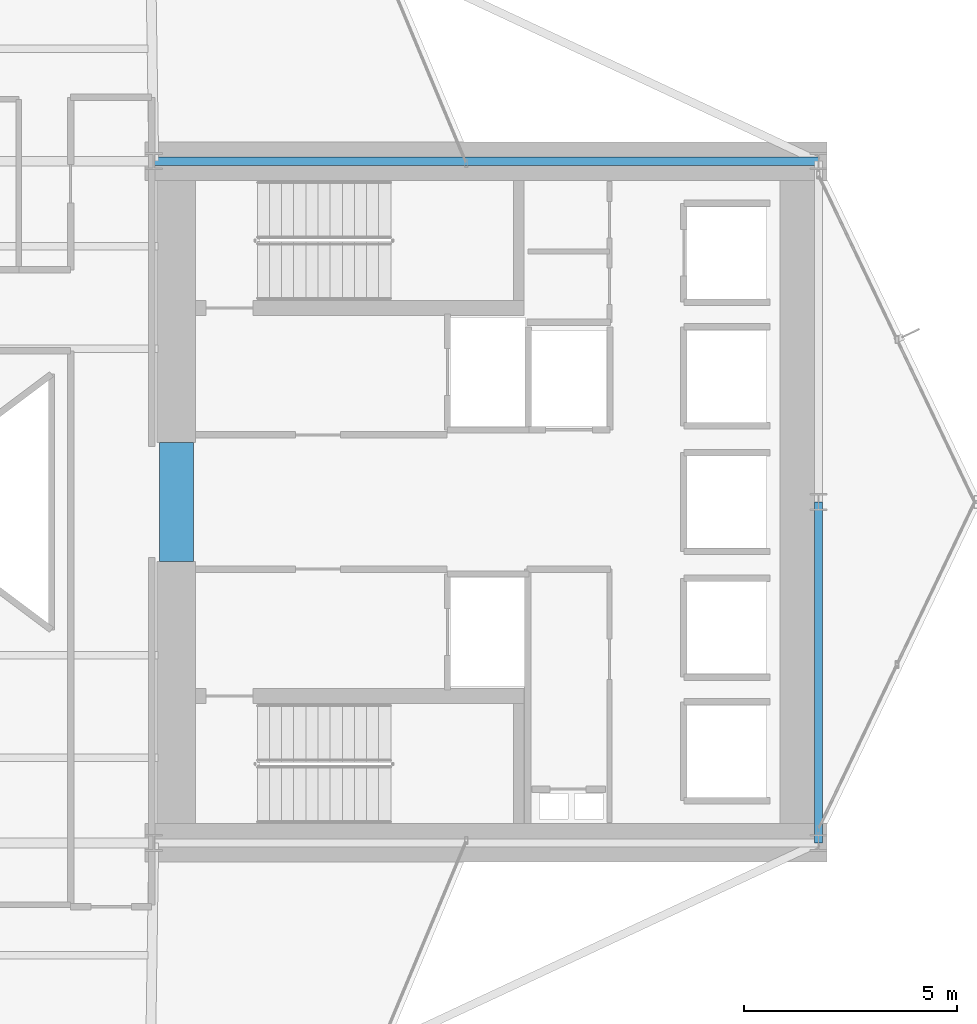
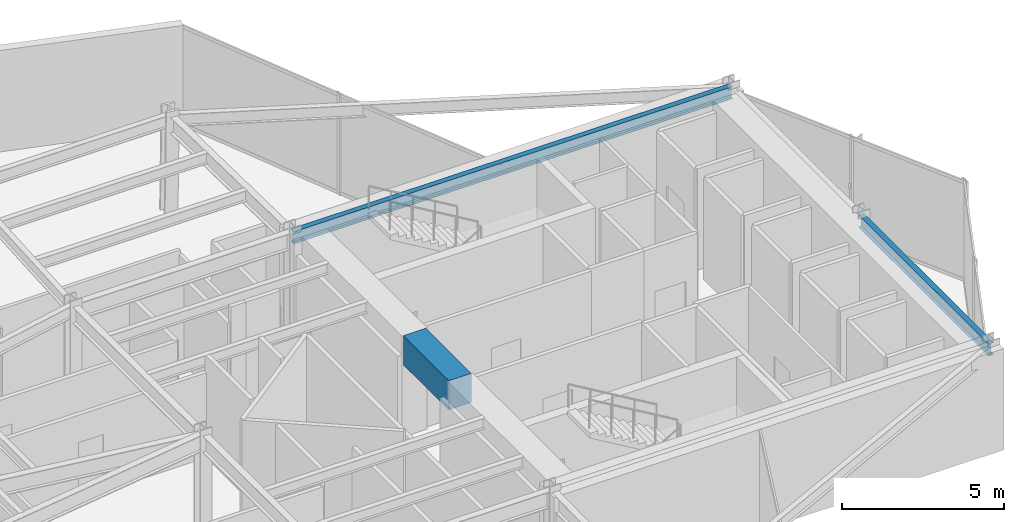
# One storey, part 13 of 25: 3 beams.
"""IFC4 building model written with IfcOpenShell, lengths in metres."""

import ifcopenshell
import ifcopenshell.guid

model = None  # the IFC model being written
_history = None  # IfcOwnerHistory: only IFC2X3 demands one
_inside = {}  # id of a spatial element -> (the spatial element, [elements in it])
_under = {}  # id of a project, library or spatial element -> (it, [spatial elements below it])
_declared = {}  # id of a project -> (the project, [libraries it declares])
_typed = {}  # id of a type object -> (the type object, [elements of that type])
_made_of = {}  # id of a material, layer set ... -> (it, [elements and type objects made of it])


def new_model(schema):
    """Start an empty IFC model of exactly this schema.

    Asked for "IFC4X3", IfcOpenShell would pick the latest addendum, in which some entities
    have other attributes; the version numbers below select the first issue.
    IFC2X3 requires an IfcOwnerHistory on every rooted entity: one is made here for all.
    """
    global model, _history
    if schema == "IFC4X3":
        model = ifcopenshell.file(schema_version=(4, 3, 0, 0))
    else:
        model = ifcopenshell.file(schema=schema)
    _inside.clear()
    _under.clear()
    _declared.clear()
    _typed.clear()
    _made_of.clear()
    _history = None
    if model.schema == "IFC2X3":
        org = make("IfcOrganization", Name="unknown")
        user = make(
            "IfcPersonAndOrganization",
            ThePerson=make("IfcPerson", FamilyName="unknown"),
            TheOrganization=org,
        )
        app = make(
            "IfcApplication",
            ApplicationDeveloper=org,
            Version="unknown",
            ApplicationFullName="unknown",
            ApplicationIdentifier="unknown",
        )
        _history = make(
            "IfcOwnerHistory",
            OwningUser=user,
            OwningApplication=app,
            ChangeAction="ADDED",
            CreationDate=0,
        )
    return model


def make(cls, **values):
    """One entity of the class cls with the attributes given. An attribute that is None is left unset."""
    return model.create_entity(
        cls, **{name: value for name, value in values.items() if value is not None}
    )


def rooted(cls, **values):
    """An entity with a GlobalId (a new one), such as an element, a storey or a relation."""
    return make(cls, GlobalId=ifcopenshell.guid.new(), OwnerHistory=_history, **values)


def si_unit(unit_type, name, prefix=None):
    """IfcSIUnit, for example si_unit("LENGTHUNIT", "METRE", prefix="MILLI")."""
    return make("IfcSIUnit", UnitType=unit_type, Prefix=prefix, Name=name)


def assignment(units):
    """IfcUnitAssignment: the units of a project."""
    return None if units is None else make("IfcUnitAssignment", Units=units)


def point(xyz):
    """IfcCartesianPoint."""
    return None if xyz is None else make("IfcCartesianPoint", Coordinates=xyz)


def direction(xyz):
    """IfcDirection."""
    return None if xyz is None else make("IfcDirection", DirectionRatios=xyz)


def frame(location, z_axis=None, x_axis=None):
    """IfcAxis2Placement3D, a coordinate frame: its origin and axes. An axis left out is left unset."""
    return make(
        "IfcAxis2Placement3D",
        Location=point(location),
        Axis=direction(z_axis),
        RefDirection=direction(x_axis),
    )


def frame_2d(location, x_axis=None):
    """IfcAxis2Placement2D, a coordinate frame in the plane: its origin and x axis."""
    return make(
        "IfcAxis2Placement2D", Location=point(location), RefDirection=direction(x_axis)
    )


def origin():
    """The frame at (0, 0, 0) with its axes left unset."""
    return frame((0.0, 0.0, 0.0))


def origin_2d():
    """The frame at (0, 0) in the plane with its x axis left unset."""
    return frame_2d((0.0, 0.0))


def place(relative_to, where):
    """IfcLocalPlacement: puts the frame where relative to a parent placement (None: the world)."""
    return make(
        "IfcLocalPlacement", PlacementRelTo=relative_to, RelativePlacement=where
    )


def context(
    kind, dimensions, precision=None, world=None, true_north=None, identifier=None
):
    """IfcGeometricRepresentationContext, for example the 3D "Model" context."""
    return make(
        "IfcGeometricRepresentationContext",
        ContextIdentifier=identifier,
        ContextType=kind,
        CoordinateSpaceDimension=dimensions,
        Precision=precision,
        WorldCoordinateSystem=world,
        TrueNorth=true_north,
    )


def subcontext(parent, identifier, kind, view, scale=None):
    """IfcGeometricRepresentationSubContext, for example "Body" below "Model"."""
    return make(
        "IfcGeometricRepresentationSubContext",
        ContextIdentifier=identifier,
        ContextType=kind,
        ParentContext=parent,
        TargetScale=scale,
        TargetView=view,
    )


def project(units=None, contexts=None):
    """IfcProject with its units and contexts."""
    return rooted(
        "IfcProject",
        Name="project",
        RepresentationContexts=contexts,
        UnitsInContext=assignment(units),
    )


def spatial(cls, under=None, at=None, **own):
    """A site, building, storey or space (cls), placed at a placement, below another one or the project."""
    s = rooted(cls, ObjectPlacement=at, **own)
    if under is not None:
        _under.setdefault(under.id(), (under, []))[1].append(s)
    return s


def profile(cls, at=None, kind="AREA", **sizes):
    """A parametric profile (cls). Its sizes go by their IFC names, for example OverallWidth=200.0."""
    return make(cls, ProfileType=kind, Position=at, **sizes)


def rectangle(**sizes):
    """IfcRectangleProfileDef."""
    return profile("IfcRectangleProfileDef", **sizes)


def i_section(**sizes):
    """IfcIShapeProfileDef."""
    return profile("IfcIShapeProfileDef", **sizes)


def extrude(swept, where, along, depth):
    """IfcExtrudedAreaSolid: the profile swept, set in the frame where, extruded along a direction by depth."""
    return make(
        "IfcExtrudedAreaSolid",
        SweptArea=swept,
        Position=where,
        ExtrudedDirection=direction(along),
        Depth=depth,
    )


def shape(context_of_items, identifier, shape_type, items):
    """IfcShapeRepresentation: the items that make up one representation, for example the "Body"."""
    return make(
        "IfcShapeRepresentation",
        ContextOfItems=context_of_items,
        RepresentationIdentifier=identifier,
        RepresentationType=shape_type,
        Items=items,
    )


def material(Name=None, Category=None):
    """IfcMaterial."""
    return make("IfcMaterial", Name=Name, Category=Category)


def material_profile(
    of_material, cross_section, Name=None, Category=None, Priority=None
):
    """IfcMaterialProfile: a cross section and its material."""
    return make(
        "IfcMaterialProfile",
        Name=Name,
        Material=of_material,
        Profile=cross_section,
        Priority=Priority,
        Category=Category,
    )


def profile_set(profiles, Name=None, composite=None):
    """IfcMaterialProfileSet."""
    return make(
        "IfcMaterialProfileSet",
        Name=Name,
        MaterialProfiles=profiles,
        CompositeProfile=composite,
    )


def made_of(thing, what):
    """Note that an element or type object is made of a material, layer set ...; save() writes the relation."""
    if what is not None:
        _made_of.setdefault(what.id(), (what, []))[1].append(thing)
    return thing


def type_object(cls, material=None, **own):
    """A type object (cls), such as IfcWallType, which elements share."""
    return made_of(rooted(cls, **own), material)


def element(
    cls,
    number,
    at=None,
    inside=None,
    cuts=None,
    type_object=None,
    material=None,
    context=None,
    identifier="Body",
    shape_type=None,
    held_by="IfcProductDefinitionShape",
    body=None,
    shapes=None,
    **own,
):
    """One element of the class cls, such as IfcWall. Its Tag is "e" and its number.

    at: its placement. inside: the storey or other place that contains it. cuts: it is an
    opening in that element (IfcRelVoidsElement). A single representation is given by context,
    identifier, shape_type and body (its items); several are given by shapes. held_by: the class
    of the entity that holds the representations. save() writes the other relations.
    """
    e = rooted(cls, Tag="e%d" % number, ObjectPlacement=at, **own)
    if body is not None:
        shapes = [shape(context, identifier, shape_type, body)]
    if shapes is not None:
        e.Representation = make(held_by, Representations=shapes)
    if inside is not None:
        _inside.setdefault(inside.id(), (inside, []))[1].append(e)
    if cuts is not None:
        rooted(
            "IfcRelVoidsElement", RelatingBuildingElement=cuts, RelatedOpeningElement=e
        )
    if type_object is not None:
        _typed.setdefault(type_object.id(), (type_object, []))[1].append(e)
    return made_of(e, material)


def aggregate(whole, parts):
    """IfcRelAggregates: a whole, such as a stair, and the parts it consists of."""
    return rooted("IfcRelAggregates", RelatingObject=whole, RelatedObjects=parts)


def save(model, path):
    """Write the relations noted so far, then the file.

    IfcRelAggregates (storeys below a building ...), IfcRelContainedInSpatialStructure (elements
    in a storey), IfcRelDefinesByType, IfcRelAssociatesMaterial and IfcRelDeclares: one each for
    every whole, place, type object, material and project.
    """
    for whole, parts in _under.values():
        aggregate(whole, parts)
    for where, things in _inside.values():
        rooted(
            "IfcRelContainedInSpatialStructure",
            RelatedElements=things,
            RelatingStructure=where,
        )
    for kind, things in _typed.values():
        rooted("IfcRelDefinesByType", RelatedObjects=things, RelatingType=kind)
    for what, things in _made_of.values():
        rooted("IfcRelAssociatesMaterial", RelatedObjects=things, RelatingMaterial=what)
    for by, libraries in _declared.values():
        rooted("IfcRelDeclares", RelatingContext=by, RelatedDefinitions=libraries)
    model.write(path)


model = new_model("IFC4")

# Units and contexts
model_context = context("Model", 3, precision=1e-05, world=origin(), true_north=direction((0.0, 1.0)))
body_context = subcontext(model_context, "Body", "Model", "MODEL_VIEW")
ifc_project = project(units=[si_unit("LENGTHUNIT", "METRE"), si_unit("AREAUNIT", "SQUARE_METRE"), si_unit("VOLUMEUNIT", "CUBIC_METRE"), si_unit("PLANEANGLEUNIT", "RADIAN"), si_unit("MASSUNIT", "GRAM", prefix="KILO")], contexts=[model_context])

# Site, building, storey
site_placement = place(None, origin())
site = spatial("IfcSite", under=ifc_project, at=site_placement, CompositionType="ELEMENT")
building_placement = place(site_placement, origin())
building = spatial("IfcBuilding", under=site, at=building_placement, Name="Veymaron Broadcast Tower", CompositionType="ELEMENT")
storey_placement = place(building_placement, frame((0.0, 0.0, 82.35009765625)))
storey = spatial("IfcBuildingStorey", under=building, at=storey_placement, Name="L18", CompositionType="ELEMENT", Elevation=82.35009765625)

# Beams
ifc_material_1 = material(Name="Concrete C70/85", Category="concrete")
ifc_material_profile_1 = material_profile(ifc_material_1, rectangle(XDim=0.800048828125, YDim=1.10009765625, at=origin_2d()), Name="RC800X1100")
ifc_profile_set_1 = profile_set([ifc_material_profile_1], Name="Concrete C70/85")
beam_type_1 = type_object("IfcBeamType", Name="BM-CB1", PredefinedType="LINTEL", material=ifc_profile_set_1)
beam_1_placement = place(storey_placement, frame((39.530029296875, 22.60009765625, 3.260009765625), z_axis=(0.0, 1.0, 0.0), x_axis=(-1.0, 0.0, 0.0)))
element("IfcBeam", 1, at=beam_1_placement, inside=storey, type_object=beam_type_1, Name="L18 Core Wall west coupling beam", PredefinedType="LINTEL", context=body_context, shape_type="SweptSolid", body=[
    extrude(rectangle(XDim=0.800048828125, YDim=1.10009765625, at=origin_2d()), origin(), (0.0, 0.0, 1.0), 2.7998046875),
])
ifc_material_2 = material(Name="Structural steel ASTM A992 Gr 50", Category="steel")
ifc_material_profile_2 = material_profile(ifc_material_2, i_section(OverallWidth=0.19091796875, OverallDepth=0.4599609375, WebThickness=0.010009765625, FlangeThickness=0.01611328125, at=origin_2d()), Name="W460X82")
ifc_profile_set_2 = profile_set([ifc_material_profile_2], Name="Structural steel ASTM A992 Gr 50")
beam_type_2 = type_object("IfcBeamType", Name="BM-SP1", PredefinedType="SPANDREL", material=ifc_profile_set_2)
beam_2_placement = place(storey_placement, frame((39.0, 32.0, 3.579833984375), z_axis=(1.0, 0.0, 0.0), x_axis=(0.0, 1.0, 0.0)))
element("IfcBeam", 2, at=beam_2_placement, inside=storey, type_object=beam_type_2, Name="L18 primary structural floor girder", PredefinedType="SPANDREL", context=body_context, shape_type="SweptSolid", body=[
    extrude(i_section(OverallWidth=0.19091796875, OverallDepth=0.4599609375, WebThickness=0.010009765625, FlangeThickness=0.01611328125, at=origin_2d()), origin(), (0.0, 0.0, 1.0), 15.60009765625),
])
beam_3_placement = place(storey_placement, frame((54.60009765625, 16.0, 3.579833984375), z_axis=(0.0, 1.0, 0.0), x_axis=(-1.0, 0.0, 0.0)))
element("IfcBeam", 3, at=beam_3_placement, inside=storey, type_object=beam_type_2, Name="L18 primary structural floor girder", PredefinedType="SPANDREL", context=body_context, shape_type="SweptSolid", body=[
    extrude(i_section(OverallWidth=0.19091796875, OverallDepth=0.4599609375, WebThickness=0.010009765625, FlangeThickness=0.01611328125, at=origin_2d()), origin(), (0.0, 0.0, 1.0), 8.0),
])

save(model, "model.ifc")
